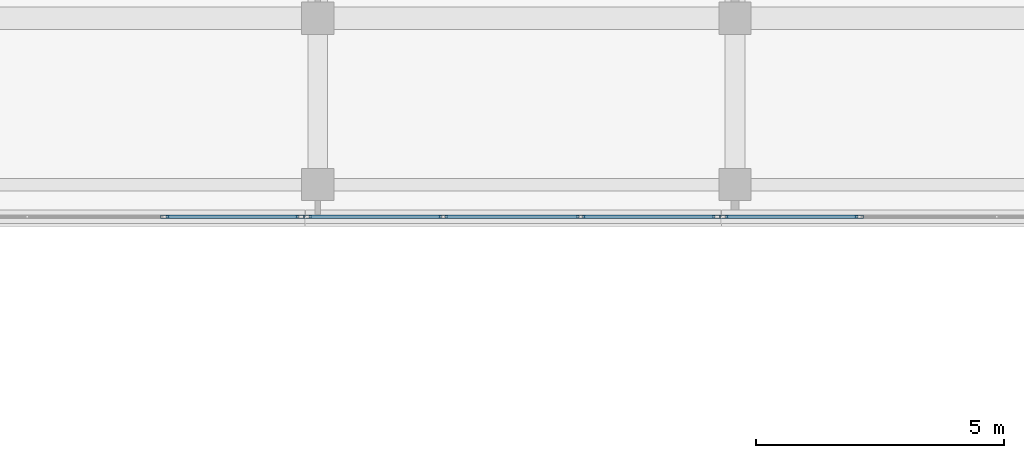
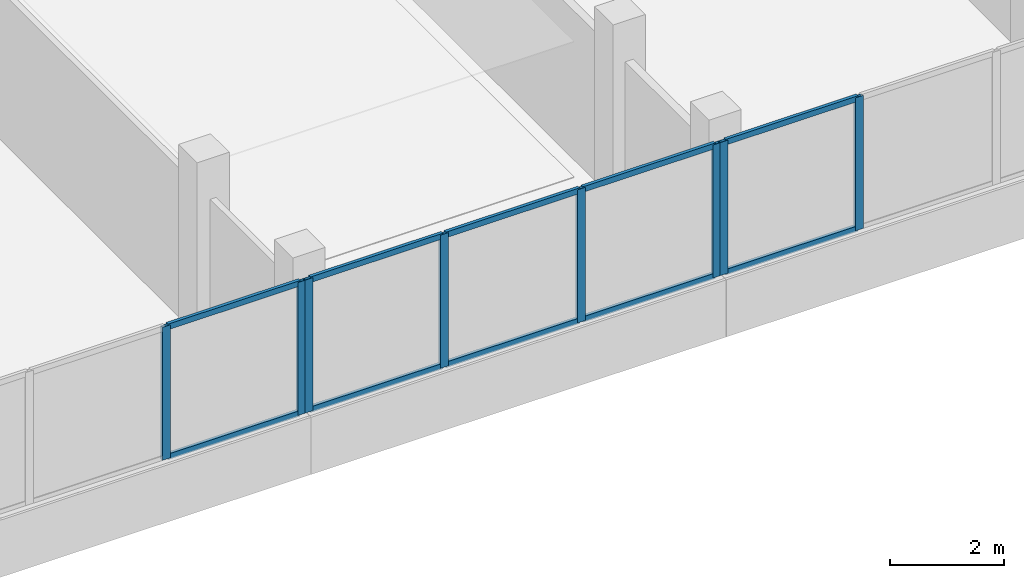
# One storey, part 33 of 76: 18 members, 3 elements without a shape of their own.
"""IFC4 building model written with IfcOpenShell, lengths in metres."""

from ifc_helpers import new_model, si_unit, direction, frame, origin, origin_2d, place, context, subcontext, project, spatial, hollow_rectangle, extrude, material, material_profile, profile_set, type_object, element, aggregate, save


model = new_model("IFC4")

# Units and contexts
model_context = context("Model", 3, precision=1e-05, world=origin(), true_north=direction((0.0, 1.0)))
body_context = subcontext(model_context, "Body", "Model", "MODEL_VIEW")
ifc_project = project(units=[si_unit("LENGTHUNIT", "METRE"), si_unit("AREAUNIT", "SQUARE_METRE"), si_unit("VOLUMEUNIT", "CUBIC_METRE"), si_unit("PLANEANGLEUNIT", "RADIAN"), si_unit("MASSUNIT", "GRAM", prefix="KILO")], contexts=[model_context])

# Site, building, storey
site_placement = place(None, origin())
site = spatial("IfcSite", under=ifc_project, at=site_placement, CompositionType="ELEMENT")
building_placement = place(site_placement, origin())
building = spatial("IfcBuilding", under=site, at=building_placement, Name="Selatvlak General Hospital", CompositionType="ELEMENT")
storey_placement = place(building_placement, frame((0.0, 0.0, 27.300048828125)))
storey = spatial("IfcBuildingStorey", under=building, at=storey_placement, Name="L06", CompositionType="ELEMENT", Elevation=27.300048828125)

# Curtain wall, members
ifc_material_1 = material(Name="Solar-control Low-E double glazing", Category="glass")
curtain_wall_type_1 = type_object("IfcCurtainWallType", Name="CW-CW-01", PredefinedType="USERDEFINED", material=ifc_material_1)
curtain_wall_1_placement = place(storey_placement, origin())
curtain_wall_1 = element("IfcCurtainWall", 1, at=curtain_wall_1_placement, inside=storey, type_object=curtain_wall_type_1, Name="Glazed facade curtain wall CW-L06-0625", ObjectType="UNITISED CURTAIN WALL", PredefinedType="USERDEFINED")
ifc_material_2 = material(Name="Dark anodised aluminium mullion", Category="aluminium")
ifc_material_profile_1 = material_profile(ifc_material_2, hollow_rectangle(XDim=0.06494140625, YDim=0.159912109375, WallThickness=0.00390625, at=origin_2d()), Name="AL-MUL 65x160x4")
ifc_profile_set_1 = profile_set([ifc_material_profile_1], Name="Dark anodised aluminium mullion")
member_type_1 = type_object("IfcMemberType", Name="CWM-01", PredefinedType="MULLION", material=ifc_profile_set_1)
member_1_placement = place(storey_placement, frame((134.50732421875, 88.0009765625, 0.93994140625), z_axis=(0.0, 0.0, 1.0), x_axis=(0.0, -1.0, 0.0)))
member_1 = element("IfcMember", 2, at=member_1_placement, type_object=member_type_1, Name="CW-01 mullion 3", PredefinedType="MULLION", context=body_context, shape_type="SweptSolid", body=[
    extrude(hollow_rectangle(XDim=0.06494140625, YDim=0.159912109375, WallThickness=0.00390625, at=origin_2d()), origin(), (0.0, 0.0, 1.0), 2.840087890625),
])
member_2_placement = place(storey_placement, frame((131.7734375, 88.0009765625, 0.93994140625), z_axis=(0.0, 0.0, 1.0), x_axis=(0.0, -1.0, 0.0)))
member_2 = element("IfcMember", 3, at=member_2_placement, type_object=member_type_1, Name="CW-01 mullion 4", PredefinedType="MULLION", context=body_context, shape_type="SweptSolid", body=[
    extrude(hollow_rectangle(XDim=0.06494140625, YDim=0.159912109375, WallThickness=0.00390625, at=origin_2d()), origin(), (0.0, 0.0, 1.0), 2.840087890625),
])

curtain_wall_type_2 = type_object("IfcCurtainWallType", Name="CW-CW-02", PredefinedType="USERDEFINED", material=ifc_material_1)
curtain_wall_2_placement = place(storey_placement, origin())
curtain_wall_2 = element("IfcCurtainWall", 4, at=curtain_wall_2_placement, inside=storey, type_object=curtain_wall_type_2, Name="Glazed facade curtain wall CW-L06-0626", ObjectType="UNITISED CURTAIN WALL", PredefinedType="USERDEFINED")
member_3_placement = place(storey_placement, frame((131.62841796875, 88.0009765625, 0.93994140625), z_axis=(0.0, 0.0, 1.0), x_axis=(0.0, -1.0, 0.0)))
member_3 = element("IfcMember", 5, at=member_3_placement, type_object=member_type_1, Name="CW-02 mullion 1", PredefinedType="MULLION", context=body_context, shape_type="SweptSolid", body=[
    extrude(hollow_rectangle(XDim=0.06494140625, YDim=0.159912109375, WallThickness=0.00390625, at=origin_2d()), origin(), (0.0, 0.0, 1.0), 2.840087890625),
])
member_4_placement = place(storey_placement, frame((128.894775390625, 88.0009765625, 0.93994140625), z_axis=(0.0, 0.0, 1.0), x_axis=(0.0, -1.0, 0.0)))
member_4 = element("IfcMember", 6, at=member_4_placement, type_object=member_type_1, Name="CW-02 mullion 2", PredefinedType="MULLION", context=body_context, shape_type="SweptSolid", body=[
    extrude(hollow_rectangle(XDim=0.06494140625, YDim=0.159912109375, WallThickness=0.00390625, at=origin_2d()), origin(), (0.0, 0.0, 1.0), 2.840087890625),
])
member_5_placement = place(storey_placement, frame((126.12841796875, 88.0009765625, 0.93994140625), z_axis=(0.0, 0.0, 1.0), x_axis=(0.0, -1.0, 0.0)))
member_5 = element("IfcMember", 7, at=member_5_placement, type_object=member_type_1, Name="CW-02 mullion 3", PredefinedType="MULLION", context=body_context, shape_type="SweptSolid", body=[
    extrude(hollow_rectangle(XDim=0.06494140625, YDim=0.159912109375, WallThickness=0.00390625, at=origin_2d()), origin(), (0.0, 0.0, 1.0), 2.840087890625),
])
member_6_placement = place(storey_placement, frame((123.39453125, 88.0009765625, 0.93994140625), z_axis=(0.0, 0.0, 1.0), x_axis=(0.0, -1.0, 0.0)))
member_6 = element("IfcMember", 8, at=member_6_placement, type_object=member_type_1, Name="CW-02 mullion 4", PredefinedType="MULLION", context=body_context, shape_type="SweptSolid", body=[
    extrude(hollow_rectangle(XDim=0.06494140625, YDim=0.159912109375, WallThickness=0.00390625, at=origin_2d()), origin(), (0.0, 0.0, 1.0), 2.840087890625),
])

curtain_wall_3_placement = place(storey_placement, origin())
curtain_wall_3 = element("IfcCurtainWall", 9, at=curtain_wall_3_placement, inside=storey, type_object=curtain_wall_type_1, Name="Glazed facade curtain wall CW-L06-0627", ObjectType="UNITISED CURTAIN WALL", PredefinedType="USERDEFINED")
member_7_placement = place(storey_placement, frame((123.24951171875, 88.0009765625, 0.93994140625), z_axis=(0.0, 0.0, 1.0), x_axis=(0.0, -1.0, 0.0)))
member_7 = element("IfcMember", 10, at=member_7_placement, type_object=member_type_1, Name="CW-01 mullion 1", PredefinedType="MULLION", context=body_context, shape_type="SweptSolid", body=[
    extrude(hollow_rectangle(XDim=0.06494140625, YDim=0.159912109375, WallThickness=0.00390625, at=origin_2d()), origin(), (0.0, 0.0, 1.0), 2.840087890625),
])
member_8_placement = place(storey_placement, frame((120.515625, 88.0009765625, 0.93994140625), z_axis=(0.0, 0.0, 1.0), x_axis=(0.0, -1.0, 0.0)))
member_8 = element("IfcMember", 11, at=member_8_placement, type_object=member_type_1, Name="CW-01 mullion 2", PredefinedType="MULLION", context=body_context, shape_type="SweptSolid", body=[
    extrude(hollow_rectangle(XDim=0.06494140625, YDim=0.159912109375, WallThickness=0.00390625, at=origin_2d()), origin(), (0.0, 0.0, 1.0), 2.840087890625),
])

# Member
ifc_material_profile_2 = material_profile(ifc_material_2, hollow_rectangle(XDim=0.06494140625, YDim=0.1201171875, WallThickness=0.00390625, at=origin_2d()), Name="AL-TRN 65x120x4")
ifc_profile_set_2 = profile_set([ifc_material_profile_2], Name="Dark anodised aluminium mullion")
member_type_2 = type_object("IfcMemberType", Name="CWT-01", PredefinedType="USERDEFINED", material=ifc_profile_set_2)
member_9_placement = place(storey_placement, frame((134.474853515625, 88.0009765625, 0.972412109375), z_axis=(-1.0, 0.0, 0.0), x_axis=(0.0, -1.0, 0.0)))
member_9 = element("IfcMember", 12, at=member_9_placement, type_object=member_type_2, Name="CW-01 transom 3.1", ObjectType="TRANSOM", PredefinedType="USERDEFINED", context=body_context, shape_type="SweptSolid", body=[
    extrude(hollow_rectangle(XDim=0.06494140625, YDim=0.1201171875, WallThickness=0.00390625, at=origin_2d()), origin(), (0.0, 0.0, 1.0), 2.6689453125),
])

member_10_placement = place(storey_placement, frame((134.474853515625, 88.0009765625, 3.74755859375), z_axis=(-1.0, 0.0, 0.0), x_axis=(0.0, -1.0, 0.0)))
member_10 = element("IfcMember", 13, at=member_10_placement, type_object=member_type_2, Name="CW-01 transom 3.2", ObjectType="TRANSOM", PredefinedType="USERDEFINED", context=body_context, shape_type="SweptSolid", body=[
    extrude(hollow_rectangle(XDim=0.06494140625, YDim=0.1201171875, WallThickness=0.00390625, at=origin_2d()), origin(), (0.0, 0.0, 1.0), 2.6689453125),
])

aggregate(curtain_wall_1, [member_1, member_2, member_9, member_10])

member_11_placement = place(storey_placement, frame((131.595947265625, 88.0009765625, 0.972412109375), z_axis=(-1.0, 0.0, 0.0), x_axis=(0.0, -1.0, 0.0)))
member_11 = element("IfcMember", 14, at=member_11_placement, type_object=member_type_2, Name="CW-02 transom 1.1", ObjectType="TRANSOM", PredefinedType="USERDEFINED", context=body_context, shape_type="SweptSolid", body=[
    extrude(hollow_rectangle(XDim=0.06494140625, YDim=0.1201171875, WallThickness=0.00390625, at=origin_2d()), origin(), (0.0, 0.0, 1.0), 2.668701171875),
])

member_12_placement = place(storey_placement, frame((131.595947265625, 88.0009765625, 3.74755859375), z_axis=(-1.0, 0.0, 0.0), x_axis=(0.0, -1.0, 0.0)))
member_12 = element("IfcMember", 15, at=member_12_placement, type_object=member_type_2, Name="CW-02 transom 1.2", ObjectType="TRANSOM", PredefinedType="USERDEFINED", context=body_context, shape_type="SweptSolid", body=[
    extrude(hollow_rectangle(XDim=0.06494140625, YDim=0.1201171875, WallThickness=0.00390625, at=origin_2d()), origin(), (0.0, 0.0, 1.0), 2.668701171875),
])

member_13_placement = place(storey_placement, frame((128.862060546875, 88.0009765625, 0.972412109375), z_axis=(-1.0, 0.0, 0.0), x_axis=(0.0, -1.0, 0.0)))
member_13 = element("IfcMember", 16, at=member_13_placement, type_object=member_type_2, Name="CW-02 transom 2.1", ObjectType="TRANSOM", PredefinedType="USERDEFINED", context=body_context, shape_type="SweptSolid", body=[
    extrude(hollow_rectangle(XDim=0.06494140625, YDim=0.1201171875, WallThickness=0.00390625, at=origin_2d()), origin(), (0.0, 0.0, 1.0), 2.701171875),
])

member_14_placement = place(storey_placement, frame((128.862060546875, 88.0009765625, 3.74755859375), z_axis=(-1.0, 0.0, 0.0), x_axis=(0.0, -1.0, 0.0)))
member_14 = element("IfcMember", 17, at=member_14_placement, type_object=member_type_2, Name="CW-02 transom 2.2", ObjectType="TRANSOM", PredefinedType="USERDEFINED", context=body_context, shape_type="SweptSolid", body=[
    extrude(hollow_rectangle(XDim=0.06494140625, YDim=0.1201171875, WallThickness=0.00390625, at=origin_2d()), origin(), (0.0, 0.0, 1.0), 2.701171875),
])

member_15_placement = place(storey_placement, frame((126.095947265625, 88.0009765625, 0.972412109375), z_axis=(-1.0, 0.0, 0.0), x_axis=(0.0, -1.0, 0.0)))
member_15 = element("IfcMember", 18, at=member_15_placement, type_object=member_type_2, Name="CW-02 transom 3.1", ObjectType="TRANSOM", PredefinedType="USERDEFINED", context=body_context, shape_type="SweptSolid", body=[
    extrude(hollow_rectangle(XDim=0.06494140625, YDim=0.1201171875, WallThickness=0.00390625, at=origin_2d()), origin(), (0.0, 0.0, 1.0), 2.6689453125),
])

member_16_placement = place(storey_placement, frame((126.095947265625, 88.0009765625, 3.74755859375), z_axis=(-1.0, 0.0, 0.0), x_axis=(0.0, -1.0, 0.0)))
member_16 = element("IfcMember", 19, at=member_16_placement, type_object=member_type_2, Name="CW-02 transom 3.2", ObjectType="TRANSOM", PredefinedType="USERDEFINED", context=body_context, shape_type="SweptSolid", body=[
    extrude(hollow_rectangle(XDim=0.06494140625, YDim=0.1201171875, WallThickness=0.00390625, at=origin_2d()), origin(), (0.0, 0.0, 1.0), 2.6689453125),
])

aggregate(curtain_wall_2, [member_3, member_4, member_5, member_6, member_11, member_12, member_13, member_14, member_15, member_16])

member_17_placement = place(storey_placement, frame((123.217041015625, 88.0009765625, 0.972412109375), z_axis=(-1.0, 0.0, 0.0), x_axis=(0.0, -1.0, 0.0)))
member_17 = element("IfcMember", 20, at=member_17_placement, type_object=member_type_2, Name="CW-01 transom 1.1", ObjectType="TRANSOM", PredefinedType="USERDEFINED", context=body_context, shape_type="SweptSolid", body=[
    extrude(hollow_rectangle(XDim=0.06494140625, YDim=0.1201171875, WallThickness=0.00390625, at=origin_2d()), origin(), (0.0, 0.0, 1.0), 2.6689453125),
])

member_18_placement = place(storey_placement, frame((123.217041015625, 88.0009765625, 3.74755859375), z_axis=(-1.0, 0.0, 0.0), x_axis=(0.0, -1.0, 0.0)))
member_18 = element("IfcMember", 21, at=member_18_placement, type_object=member_type_2, Name="CW-01 transom 1.2", ObjectType="TRANSOM", PredefinedType="USERDEFINED", context=body_context, shape_type="SweptSolid", body=[
    extrude(hollow_rectangle(XDim=0.06494140625, YDim=0.1201171875, WallThickness=0.00390625, at=origin_2d()), origin(), (0.0, 0.0, 1.0), 2.6689453125),
])

aggregate(curtain_wall_3, [member_7, member_8, member_17, member_18])

save(model, "model.ifc")
